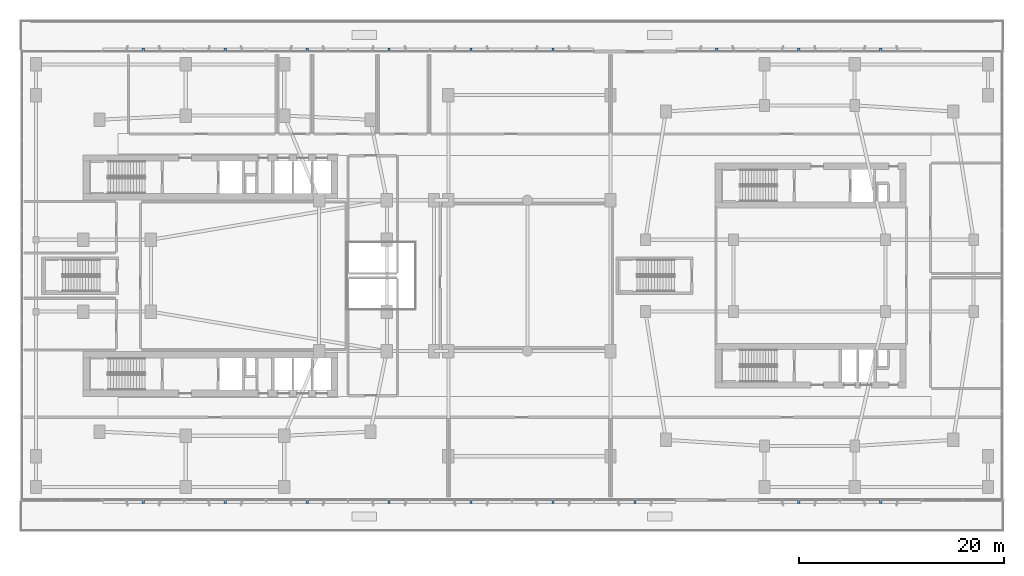
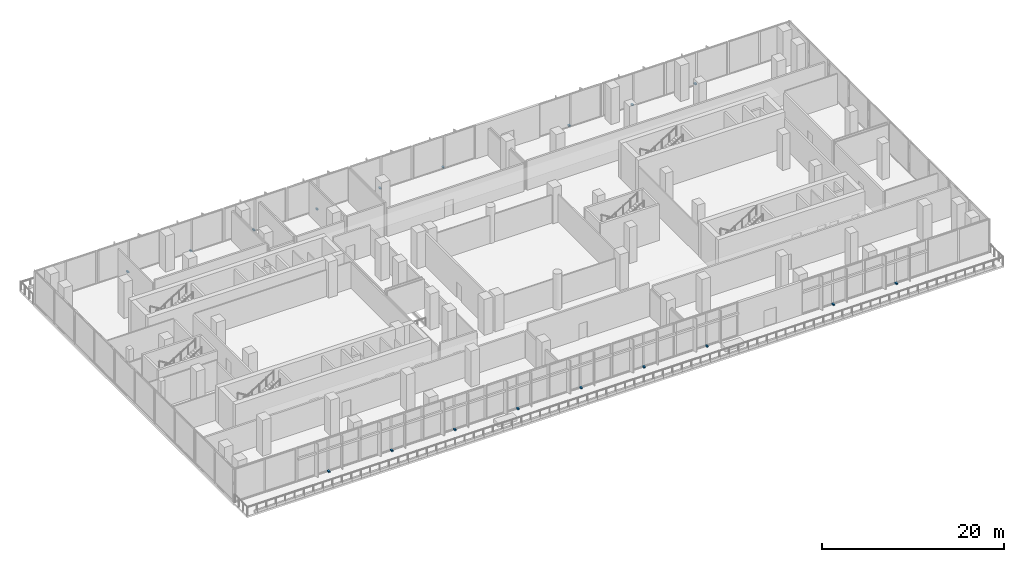
# One storey, part 17 of 30: 18 discrete accessories.
"""IFC4 building model written with IfcOpenShell, lengths in metres."""

from ifc_helpers import new_model, si_unit, derived_unit, direction, frame, origin, origin_2d, place, context, subcontext, project, spatial, rectangle, extrude, material, type_object, element, save


model = new_model("IFC4")

# Units and contexts
model_context = context("Model", 3, precision=1e-05, world=origin(), true_north=direction((0.0, 1.0)))
body_context = subcontext(model_context, "Body", "Model", "MODEL_VIEW")
ifc_project = project(units=[si_unit("LENGTHUNIT", "METRE"), si_unit("AREAUNIT", "SQUARE_METRE"), si_unit("VOLUMEUNIT", "CUBIC_METRE"), si_unit("PLANEANGLEUNIT", "RADIAN"), si_unit("MASSUNIT", "GRAM", prefix="KILO"), derived_unit("THERMALTRANSMITTANCEUNIT", [(si_unit("POWERUNIT", "WATT"), 1), (si_unit("LENGTHUNIT", "METRE"), -2), (si_unit("THERMODYNAMICTEMPERATUREUNIT", "KELVIN"), -1)])], contexts=[model_context])

# Site, building, storey
site_placement = place(None, origin())
site = spatial("IfcSite", under=ifc_project, at=site_placement, CompositionType="ELEMENT")
building_placement = place(site_placement, origin())
building = spatial("IfcBuilding", under=site, at=building_placement, Name="Kivonza Crest Hotel", CompositionType="ELEMENT")
storey_placement = place(building_placement, frame((0.0, 0.0, 10.199951171875)))
storey = spatial("IfcBuildingStorey", under=building, at=storey_placement, Name="L02", CompositionType="ELEMENT", Elevation=10.199951171875)

# Discrete accessories
ifc_material = material(Name="Stainless steel 316", Category="steel")
discrete_accessory_type = type_object("IfcDiscreteAccessoryType", Name="AC-BRACKET-240", PredefinedType="BRACKET", material=ifc_material)
for number, where, z_axis, x_axis, name in (
    (1, (12.06005859375, 2.9599609375, -0.009765625), (0.0, 0.0, 1.0), (1.0, 0.0, 0.0), "L02 terracotta baguette support bracket CW-POD-L02-02"),
    (2, (20.047119140625, 2.9599609375, -0.009765625), (0.0, 0.0, 1.0), (1.0, 0.0, 0.0), "L02 terracotta baguette support bracket CW-POD-L02-03"),
    (3, (28.033935546875, 2.9599609375, -0.009765625), (0.0, 0.0, 1.0), (1.0, 0.0, 0.0), "L02 terracotta baguette support bracket CW-POD-L02-04"),
    (4, (36.02001953125, 2.9599609375, -0.009765625), (0.0, 0.0, 1.0), (1.0, 0.0, 0.0), "L02 terracotta baguette support bracket CW-POD-L02-05"),
    (5, (44.007080078125, 2.9599609375, -0.009765625), (0.0, 0.0, 1.0), (1.0, 0.0, 0.0), "L02 terracotta baguette support bracket CW-POD-L02-06"),
    (6, (51.992919921875, 2.9599609375, -0.009765625), (0.0, 0.0, 1.0), (1.0, 0.0, 0.0), "L02 terracotta baguette support bracket CW-POD-L02-07"),
    (7, (59.97998046875, 2.9599609375, -0.009765625), (0.0, 0.0, 1.0), (1.0, 0.0, 0.0), "L02 terracotta baguette support bracket CW-POD-L02-08"),
    (8, (75.952880859375, 2.9599609375, -0.009765625), (0.0, 0.0, 1.0), (1.0, 0.0, 0.0), "L02 terracotta baguette support bracket CW-POD-L02-10"),
    (9, (83.93994140625, 2.9599609375, -0.009765625), (0.0, 0.0, 1.0), (1.0, 0.0, 0.0), "L02 terracotta baguette support bracket CW-POD-L02-11"),
    (10, (83.93994140625, 47.0400390625, -0.009765625), (0.0, 0.0, 1.0), (-1.0, 0.0, 0.0), "L02 terracotta baguette support bracket CW-POD-L02-19"),
    (11, (75.952880859375, 47.0400390625, -0.009765625), (0.0, 0.0, 1.0), (-1.0, 0.0, 0.0), "L02 terracotta baguette support bracket CW-POD-L02-20"),
    (12, (67.966064453125, 47.0400390625, -0.009765625), (0.0, 0.0, 1.0), (-1.0, 0.0, 0.0), "L02 terracotta baguette support bracket CW-POD-L02-21"),
    (13, (51.992919921875, 47.0400390625, -0.009765625), (0.0, 0.0, 1.0), (-1.0, 0.0, 0.0), "L02 terracotta baguette support bracket CW-POD-L02-23"),
    (14, (44.007080078125, 47.0400390625, -0.009765625), (0.0, 0.0, 1.0), (-1.0, 0.0, 0.0), "L02 terracotta baguette support bracket CW-POD-L02-24"),
    (15, (36.02001953125, 47.0400390625, -0.009765625), (0.0, 0.0, 1.0), (-1.0, 0.0, 0.0), "L02 terracotta baguette support bracket CW-POD-L02-25"),
    (16, (28.033935546875, 47.0400390625, -0.009765625), (0.0, 0.0, 1.0), (-1.0, 0.0, 0.0), "L02 terracotta baguette support bracket CW-POD-L02-26"),
    (17, (20.047119140625, 47.0400390625, -0.009765625), (0.0, 0.0, 1.0), (-1.0, 0.0, 0.0), "L02 terracotta baguette support bracket CW-POD-L02-27"),
    (18, (12.06005859375, 47.0400390625, -0.009765625), (0.0, 0.0, 1.0), (-1.0, 0.0, 0.0), "L02 terracotta baguette support bracket CW-POD-L02-28"),
):
    element("IfcDiscreteAccessory", number, at=place(storey_placement, frame(where, z_axis=z_axis, x_axis=x_axis)), inside=storey, type_object=discrete_accessory_type, Name=name, PredefinedType="BRACKET", context=body_context, shape_type="SweptSolid", body=[
        extrude(rectangle(XDim=0.219970703125, YDim=0.340087890625, at=origin_2d()), origin(), (0.0, 0.0, 1.0), 0.179931640625),
    ])

save(model, "model.ifc")
